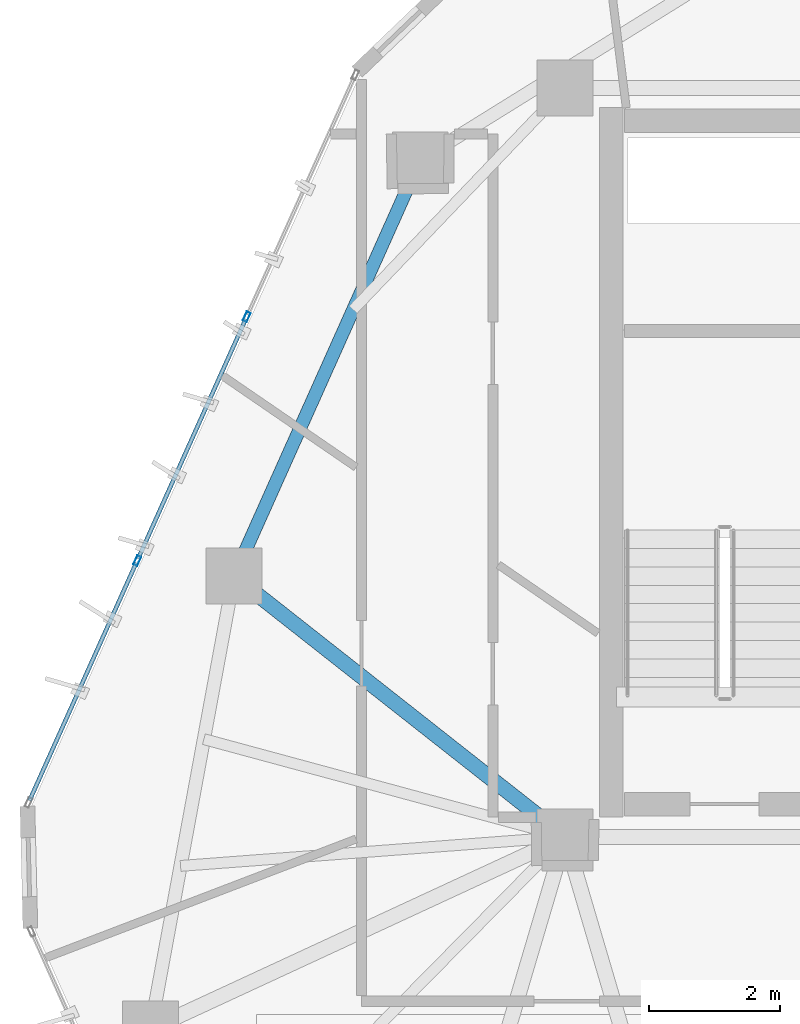
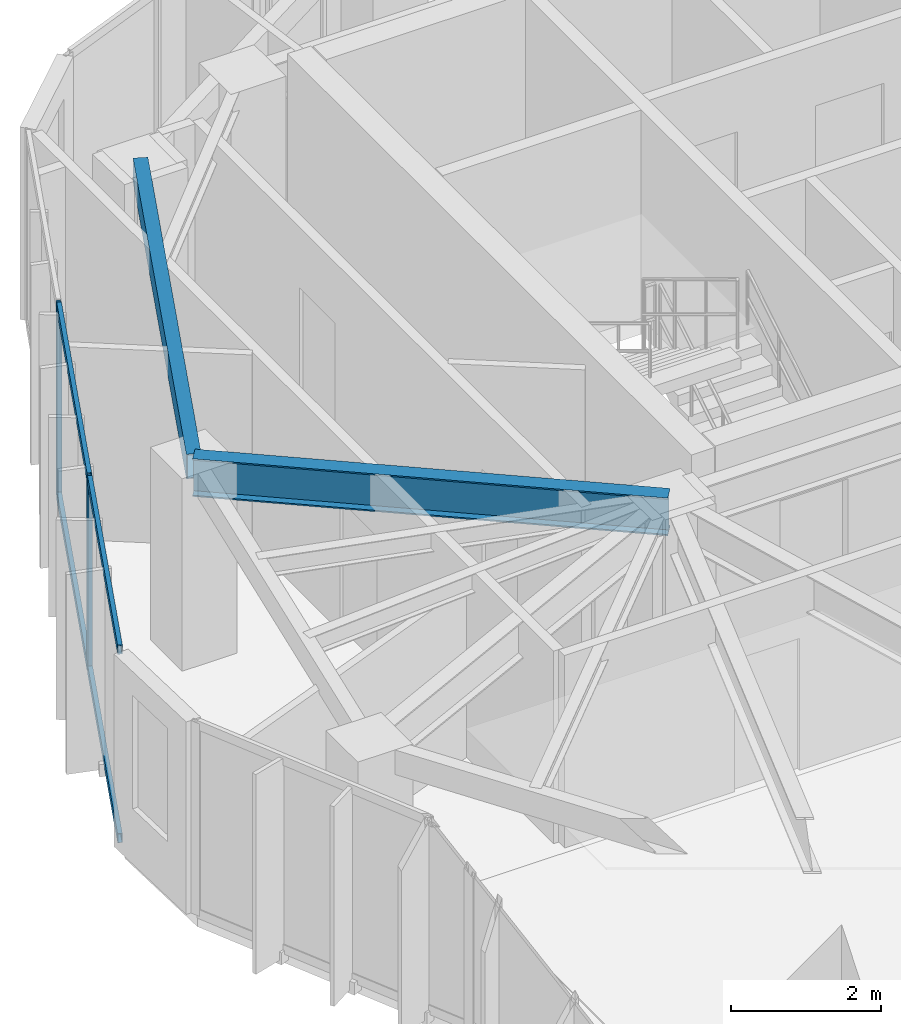
# One storey, part 8 of 20: 6 members, 2 beams, 1 element without a shape of its own.
"""IFC4 building model written with IfcOpenShell, lengths in metres."""

from ifc_helpers import new_model, si_unit, direction, frame, origin, origin_2d, place, context, subcontext, project, spatial, hollow_rectangle, i_section, extrude, source, transform, mapped, material, layer, layer_set, material_profile, profile_set, type_object, type_shapes, element, aggregate, save


model = new_model("IFC4")

# Units and contexts
model_context = context("Model", 3, precision=1e-05, world=origin(), true_north=direction((0.0, 1.0)))
body_context = subcontext(model_context, "Body", "Model", "MODEL_VIEW")
ifc_project = project(units=[si_unit("LENGTHUNIT", "METRE"), si_unit("AREAUNIT", "SQUARE_METRE"), si_unit("VOLUMEUNIT", "CUBIC_METRE"), si_unit("PLANEANGLEUNIT", "RADIAN"), si_unit("MASSUNIT", "GRAM", prefix="KILO")], contexts=[model_context])

# Site, building, storey
site_placement = place(None, origin())
site = spatial("IfcSite", under=ifc_project, at=site_placement, CompositionType="ELEMENT")
building_placement = place(site_placement, origin())
building = spatial("IfcBuilding", under=site, at=building_placement, Name="Talar Marvaseh", CompositionType="ELEMENT")
storey_placement = place(building_placement, frame((0.0, 0.0, 278.199951171875)))
storey = spatial("IfcBuildingStorey", under=building, at=storey_placement, Name="L74", CompositionType="ELEMENT", Elevation=278.199951171875)

# Beams
ifc_material_1 = material(Name="Steel S355", Category="steel")
ifc_material_profile_1 = material_profile(ifc_material_1, hollow_rectangle(XDim=0.199951171875, YDim=0.39990234375, WallThickness=0.013916015625, at=origin_2d()), Name="RHS400x200x14")
ifc_profile_set_1 = profile_set([ifc_material_profile_1], Name="Steel S355")
beam_type_1 = type_object("IfcBeamType", Name="Zone 3 Perimeter Spandrel Beam RHS400x200x14", PredefinedType="SPANDREL", material=ifc_profile_set_1)
beam_1_placement = place(storey_placement, frame((13.657958984375, 29.469970703125, 2.93994140625), z_axis=(0.408486346803, 0.912764429892, 0.0), x_axis=(-0.912764429892, 0.408486346803, 0.0)))
element("IfcBeam", 1, at=beam_1_placement, inside=storey, type_object=beam_type_1, Name="L74 Zone 3 Perimeter Spandrel Beam RHS400x200x14", PredefinedType="SPANDREL", context=body_context, shape_type="SweptSolid", body=[
    extrude(hollow_rectangle(XDim=0.199951171875, YDim=0.39990234375, WallThickness=0.013916015625, at=origin_2d()), origin(), (0.0, 0.0, 1.0), 6.942626953125),
])
ifc_material_profile_2 = material_profile(ifc_material_1, i_section(OverallWidth=0.22998046875, OverallDepth=0.616943359375, WebThickness=0.01318359375, FlangeThickness=0.022216796875, at=origin_2d()), Name="W610x140")
ifc_profile_set_2 = profile_set([ifc_material_profile_2], Name="Steel S355")
beam_type_2 = type_object("IfcBeamType", Name="Zone 4 Radial Floor Girder W610x140", PredefinedType="BEAM", material=ifc_profile_set_2)
beam_2_placement = place(storey_placement, frame((13.657958984375, 29.469970703125, 2.83154296875), z_axis=(0.785681617372, -0.618631066245, 0.0), x_axis=(0.618631066245, 0.785681617372, 0.0)))
element("IfcBeam", 2, at=beam_2_placement, inside=storey, type_object=beam_type_2, Name="L74 Zone 4 Radial Floor Girder W610x140", PredefinedType="BEAM", context=body_context, shape_type="SweptSolid", body=[
    extrude(i_section(OverallWidth=0.22998046875, OverallDepth=0.616943359375, WebThickness=0.01318359375, FlangeThickness=0.022216796875, at=origin_2d()), origin(), (0.0, 0.0, 1.0), 6.417236328125),
])

# Curtain wall, members
ifc_material_2 = material(Name="Architectural Aluminium", Category="aluminium")
ifc_layer = layer(ifc_material_2, 0.179931640625)
ifc_layer_set = layer_set([ifc_layer], Name="Architectural Aluminium")
curtain_wall_type = type_object("IfcCurtainWallType", Name="Unitised High-Wind Sky Curtain Wall Z4", PredefinedType="NOTDEFINED", material=ifc_layer_set)
curtain_wall_placement = place(storey_placement, origin())
curtain_wall = element("IfcCurtainWall", 3, at=curtain_wall_placement, inside=storey, type_object=curtain_wall_type, Name="L74 Unitised High-Wind Sky Curtain Wall Z4", PredefinedType="NOTDEFINED")
ifc_material_profile_3 = material_profile(ifc_material_2, hollow_rectangle(XDim=0.06494140625, YDim=0.14990234375, WallThickness=0.00390625, at=origin_2d()), Name="RHS150x65x4")
ifc_profile_set_3 = profile_set([ifc_material_profile_3], Name="Architectural Aluminium")
member_type_1 = type_object("IfcMemberType", Name="Unitised Curtain Wall Slim Transom RHS150x65x4", PredefinedType="USERDEFINED", material=ifc_profile_set_3)
shared_shape_1 = source(origin(), body_context, "Body", "SweptSolid", [
    extrude(hollow_rectangle(XDim=0.06494140625, YDim=0.14990234375, WallThickness=0.00390625, at=origin_2d()), origin(), (0.0, 0.0, 1.0), 3.97119140625),
])
member_1_placement = place(storey_placement, frame((10.546142578125, 26.052490234375, 0.032470703125), z_axis=(0.409620682919, 0.91225593784, 0.0), x_axis=(-0.91225593784, 0.409620682919, 0.0)))
member_1 = element("IfcMember", 4, at=member_1_placement, type_object=member_type_1, Name="CW-Z4 transom 1.1", ObjectType="TRANSOM", PredefinedType="USERDEFINED", context=body_context, shape_type="MappedRepresentation", body=[
    mapped(shared_shape_1, transform((0.0, 0.0, 0.0), x_axis=(1.0, 0.0, 0.0), y_axis=(0.0, 1.0, 0.0), z_axis=(0.0, 0.0, 1.0), scale=1.0)),
])
member_2_placement = place(storey_placement, frame((10.546142578125, 26.052490234375, 3.107666015625), z_axis=(0.409620682919, 0.91225593784, 0.0), x_axis=(-0.91225593784, 0.409620682919, 0.0)))
member_2 = element("IfcMember", 5, at=member_2_placement, type_object=member_type_1, Name="CW-Z4 transom 1.2", ObjectType="TRANSOM", PredefinedType="USERDEFINED", context=body_context, shape_type="MappedRepresentation", body=[
    mapped(shared_shape_1, transform((0.0, 0.0, 0.0), x_axis=(1.0, 0.0, 0.0), y_axis=(0.0, 1.0, 0.0), z_axis=(0.0, 0.0, 1.0), scale=1.0)),
])
shared_shape_2 = source(origin(), body_context, "Body", "SweptSolid", [
    extrude(hollow_rectangle(XDim=0.06494140625, YDim=0.14990234375, WallThickness=0.00390625, at=origin_2d()), origin(), (0.0, 0.0, 1.0), 4.003662109375),
])
type_shapes(member_type_1, [shared_shape_1, shared_shape_2])
member_3_placement = place(storey_placement, frame((12.199462890625, 29.734375, 0.032470703125), z_axis=(0.409654614352, 0.912240701208, 0.0), x_axis=(-0.912240701208, 0.409654614352, 0.0)))
member_3 = element("IfcMember", 6, at=member_3_placement, type_object=member_type_1, Name="CW-Z4 transom 2.1", ObjectType="TRANSOM", PredefinedType="USERDEFINED", context=body_context, shape_type="MappedRepresentation", body=[
    mapped(shared_shape_2, transform((0.0, 0.0, 0.0), x_axis=(1.0, 0.0, 0.0), y_axis=(0.0, 1.0, 0.0), z_axis=(0.0, 0.0, 1.0), scale=1.0)),
])
member_4_placement = place(storey_placement, frame((12.199462890625, 29.734375, 3.107666015625), z_axis=(0.409654614352, 0.912240701208, 0.0), x_axis=(-0.912240701208, 0.409654614352, 0.0)))
member_4 = element("IfcMember", 7, at=member_4_placement, type_object=member_type_1, Name="CW-Z4 transom 2.2", ObjectType="TRANSOM", PredefinedType="USERDEFINED", context=body_context, shape_type="MappedRepresentation", body=[
    mapped(shared_shape_2, transform((0.0, 0.0, 0.0), x_axis=(1.0, 0.0, 0.0), y_axis=(0.0, 1.0, 0.0), z_axis=(0.0, 0.0, 1.0), scale=1.0)),
])
ifc_material_profile_4 = material_profile(ifc_material_2, hollow_rectangle(XDim=0.06494140625, YDim=0.14990234375, WallThickness=0.00390625, at=origin_2d()), Name="RHS150x65x4")
ifc_profile_set_4 = profile_set([ifc_material_profile_4], Name="Architectural Aluminium")
member_type_2 = type_object("IfcMemberType", Name="Unitised Curtain Wall Slim Mullion RHS150x65x4", PredefinedType="MULLION", material=ifc_profile_set_4)
shared_shape_3 = source(origin(), body_context, "Body", "SweptSolid", [
    extrude(hollow_rectangle(XDim=0.06494140625, YDim=0.14990234375, WallThickness=0.00390625, at=origin_2d()), origin(), (0.0, 0.0, 1.0), 3.14013671875),
])
type_shapes(member_type_2, [shared_shape_3])
member_5_placement = place(storey_placement, frame((12.186279296875, 29.704833984375, 0.0), z_axis=(0.0, 0.0, 1.0), x_axis=(-0.91224941563, 0.409635208061, 0.0)))
member_5 = element("IfcMember", 8, at=member_5_placement, type_object=member_type_2, Name="CW-Z4 mullion 2", PredefinedType="MULLION", context=body_context, shape_type="MappedRepresentation", body=[
    mapped(shared_shape_3, transform((0.0, 0.0, 0.0), x_axis=(1.0, 0.0, 0.0), y_axis=(0.0, 1.0, 0.0), z_axis=(0.0, 0.0, 1.0), scale=1.0)),
])
member_6_placement = place(storey_placement, frame((13.852783203125, 33.41650390625, 0.0), z_axis=(0.0, 0.0, 1.0), x_axis=(-0.91224941563, 0.409635208061, 0.0)))
member_6 = element("IfcMember", 9, at=member_6_placement, type_object=member_type_2, Name="CW-Z4 mullion 3", PredefinedType="MULLION", context=body_context, shape_type="MappedRepresentation", body=[
    mapped(shared_shape_3, transform((0.0, 0.0, 0.0), x_axis=(1.0, 0.0, 0.0), y_axis=(0.0, 1.0, 0.0), z_axis=(0.0, 0.0, 1.0), scale=1.0)),
])
aggregate(curtain_wall, [member_5, member_6, member_1, member_2, member_3, member_4])

save(model, "model.ifc")
